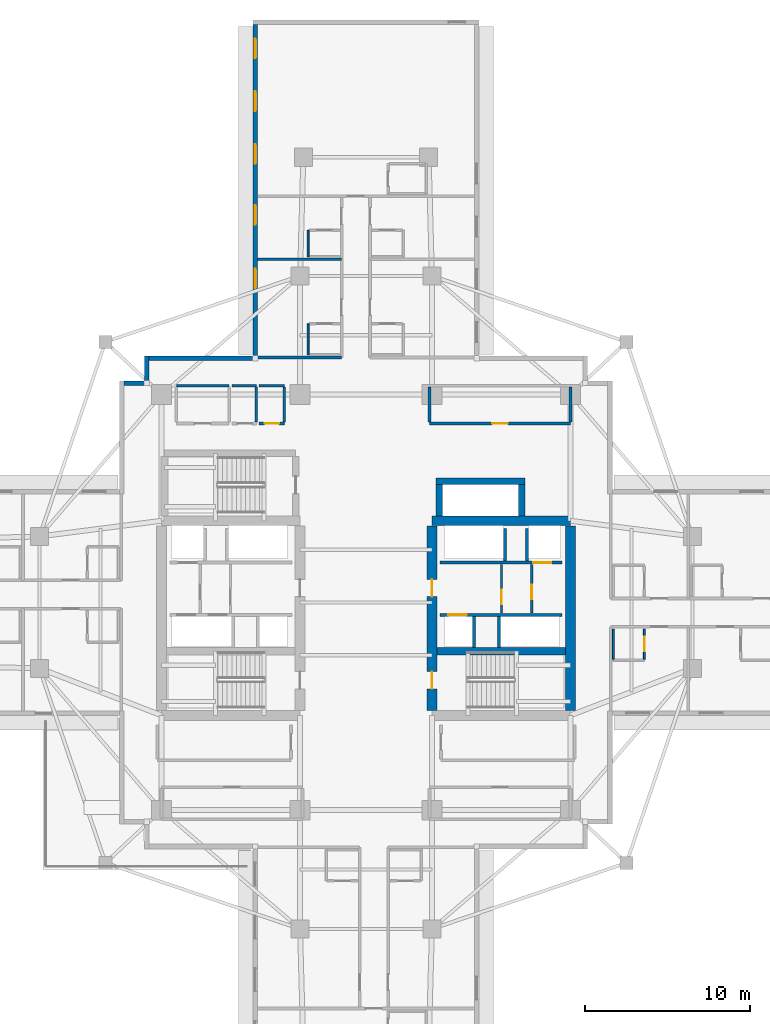
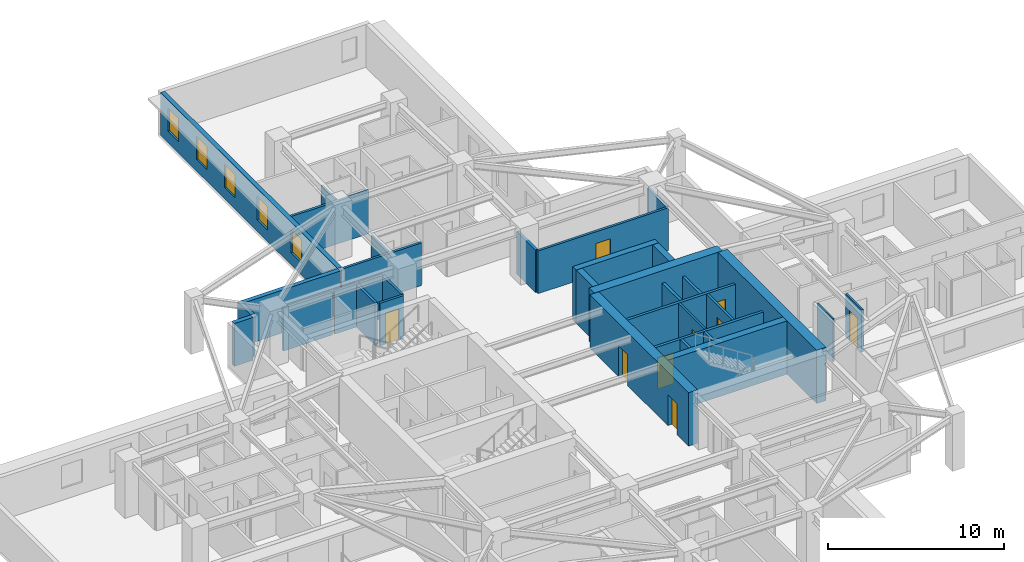
# One storey, part 6 of 13: 34 walls, 9 doors, 5 windows, 14 openings.
"""IFC4 building model written with IfcOpenShell, lengths in metres."""

import ifcopenshell
import ifcopenshell.guid

model = None  # the IFC model being written
_history = None  # IfcOwnerHistory: only IFC2X3 demands one
_inside = {}  # id of a spatial element -> (the spatial element, [elements in it])
_under = {}  # id of a project, library or spatial element -> (it, [spatial elements below it])
_declared = {}  # id of a project -> (the project, [libraries it declares])
_typed = {}  # id of a type object -> (the type object, [elements of that type])
_made_of = {}  # id of a material, layer set ... -> (it, [elements and type objects made of it])


def new_model(schema):
    """Start an empty IFC model of exactly this schema.

    Asked for "IFC4X3", IfcOpenShell would pick the latest addendum, in which some entities
    have other attributes; the version numbers below select the first issue.
    IFC2X3 requires an IfcOwnerHistory on every rooted entity: one is made here for all.
    """
    global model, _history
    if schema == "IFC4X3":
        model = ifcopenshell.file(schema_version=(4, 3, 0, 0))
    else:
        model = ifcopenshell.file(schema=schema)
    _inside.clear()
    _under.clear()
    _declared.clear()
    _typed.clear()
    _made_of.clear()
    _history = None
    if model.schema == "IFC2X3":
        org = make("IfcOrganization", Name="unknown")
        user = make(
            "IfcPersonAndOrganization",
            ThePerson=make("IfcPerson", FamilyName="unknown"),
            TheOrganization=org,
        )
        app = make(
            "IfcApplication",
            ApplicationDeveloper=org,
            Version="unknown",
            ApplicationFullName="unknown",
            ApplicationIdentifier="unknown",
        )
        _history = make(
            "IfcOwnerHistory",
            OwningUser=user,
            OwningApplication=app,
            ChangeAction="ADDED",
            CreationDate=0,
        )
    return model


def make(cls, **values):
    """One entity of the class cls with the attributes given. An attribute that is None is left unset."""
    return model.create_entity(
        cls, **{name: value for name, value in values.items() if value is not None}
    )


def rooted(cls, **values):
    """An entity with a GlobalId (a new one), such as an element, a storey or a relation."""
    return make(cls, GlobalId=ifcopenshell.guid.new(), OwnerHistory=_history, **values)


def si_unit(unit_type, name, prefix=None):
    """IfcSIUnit, for example si_unit("LENGTHUNIT", "METRE", prefix="MILLI")."""
    return make("IfcSIUnit", UnitType=unit_type, Prefix=prefix, Name=name)


def assignment(units):
    """IfcUnitAssignment: the units of a project."""
    return None if units is None else make("IfcUnitAssignment", Units=units)


def point(xyz):
    """IfcCartesianPoint."""
    return None if xyz is None else make("IfcCartesianPoint", Coordinates=xyz)


def direction(xyz):
    """IfcDirection."""
    return None if xyz is None else make("IfcDirection", DirectionRatios=xyz)


def frame(location, z_axis=None, x_axis=None):
    """IfcAxis2Placement3D, a coordinate frame: its origin and axes. An axis left out is left unset."""
    return make(
        "IfcAxis2Placement3D",
        Location=point(location),
        Axis=direction(z_axis),
        RefDirection=direction(x_axis),
    )


def frame_2d(location, x_axis=None):
    """IfcAxis2Placement2D, a coordinate frame in the plane: its origin and x axis."""
    return make(
        "IfcAxis2Placement2D", Location=point(location), RefDirection=direction(x_axis)
    )


def origin():
    """The frame at (0, 0, 0) with its axes left unset."""
    return frame((0.0, 0.0, 0.0))


def place(relative_to, where):
    """IfcLocalPlacement: puts the frame where relative to a parent placement (None: the world)."""
    return make(
        "IfcLocalPlacement", PlacementRelTo=relative_to, RelativePlacement=where
    )


def context(
    kind, dimensions, precision=None, world=None, true_north=None, identifier=None
):
    """IfcGeometricRepresentationContext, for example the 3D "Model" context."""
    return make(
        "IfcGeometricRepresentationContext",
        ContextIdentifier=identifier,
        ContextType=kind,
        CoordinateSpaceDimension=dimensions,
        Precision=precision,
        WorldCoordinateSystem=world,
        TrueNorth=true_north,
    )


def subcontext(parent, identifier, kind, view, scale=None):
    """IfcGeometricRepresentationSubContext, for example "Body" below "Model"."""
    return make(
        "IfcGeometricRepresentationSubContext",
        ContextIdentifier=identifier,
        ContextType=kind,
        ParentContext=parent,
        TargetScale=scale,
        TargetView=view,
    )


def project(units=None, contexts=None):
    """IfcProject with its units and contexts."""
    return rooted(
        "IfcProject",
        Name="project",
        RepresentationContexts=contexts,
        UnitsInContext=assignment(units),
    )


def spatial(cls, under=None, at=None, **own):
    """A site, building, storey or space (cls), placed at a placement, below another one or the project."""
    s = rooted(cls, ObjectPlacement=at, **own)
    if under is not None:
        _under.setdefault(under.id(), (under, []))[1].append(s)
    return s


def profile(cls, at=None, kind="AREA", **sizes):
    """A parametric profile (cls). Its sizes go by their IFC names, for example OverallWidth=200.0."""
    return make(cls, ProfileType=kind, Position=at, **sizes)


def rectangle(**sizes):
    """IfcRectangleProfileDef."""
    return profile("IfcRectangleProfileDef", **sizes)


def extrude(swept, where, along, depth):
    """IfcExtrudedAreaSolid: the profile swept, set in the frame where, extruded along a direction by depth."""
    return make(
        "IfcExtrudedAreaSolid",
        SweptArea=swept,
        Position=where,
        ExtrudedDirection=direction(along),
        Depth=depth,
    )


def shape(context_of_items, identifier, shape_type, items):
    """IfcShapeRepresentation: the items that make up one representation, for example the "Body"."""
    return make(
        "IfcShapeRepresentation",
        ContextOfItems=context_of_items,
        RepresentationIdentifier=identifier,
        RepresentationType=shape_type,
        Items=items,
    )


def material(Name=None, Category=None):
    """IfcMaterial."""
    return make("IfcMaterial", Name=Name, Category=Category)


def layer(
    of_material, thickness, ventilated=None, Name=None, Category=None, Priority=None
):
    """IfcMaterialLayer: one layer of a wall or slab, of a material (None: an air gap)."""
    return make(
        "IfcMaterialLayer",
        Material=of_material,
        LayerThickness=thickness,
        IsVentilated=ventilated,
        Name=Name,
        Category=Category,
        Priority=Priority,
    )


def layer_set(layers, Name=None):
    """IfcMaterialLayerSet."""
    return make("IfcMaterialLayerSet", MaterialLayers=layers, LayerSetName=Name)


def made_of(thing, what):
    """Note that an element or type object is made of a material, layer set ...; save() writes the relation."""
    if what is not None:
        _made_of.setdefault(what.id(), (what, []))[1].append(thing)
    return thing


def type_object(cls, material=None, **own):
    """A type object (cls), such as IfcWallType, which elements share."""
    return made_of(rooted(cls, **own), material)


def element(
    cls,
    number,
    at=None,
    inside=None,
    cuts=None,
    type_object=None,
    material=None,
    context=None,
    identifier="Body",
    shape_type=None,
    held_by="IfcProductDefinitionShape",
    body=None,
    shapes=None,
    **own,
):
    """One element of the class cls, such as IfcWall. Its Tag is "e" and its number.

    at: its placement. inside: the storey or other place that contains it. cuts: it is an
    opening in that element (IfcRelVoidsElement). A single representation is given by context,
    identifier, shape_type and body (its items); several are given by shapes. held_by: the class
    of the entity that holds the representations. save() writes the other relations.
    """
    e = rooted(cls, Tag="e%d" % number, ObjectPlacement=at, **own)
    if body is not None:
        shapes = [shape(context, identifier, shape_type, body)]
    if shapes is not None:
        e.Representation = make(held_by, Representations=shapes)
    if inside is not None:
        _inside.setdefault(inside.id(), (inside, []))[1].append(e)
    if cuts is not None:
        rooted(
            "IfcRelVoidsElement", RelatingBuildingElement=cuts, RelatedOpeningElement=e
        )
    if type_object is not None:
        _typed.setdefault(type_object.id(), (type_object, []))[1].append(e)
    return made_of(e, material)


def fill(opening, filler):
    """IfcRelFillsElement: the door or window that sits in an opening."""
    return rooted(
        "IfcRelFillsElement",
        RelatingOpeningElement=opening,
        RelatedBuildingElement=filler,
    )


def aggregate(whole, parts):
    """IfcRelAggregates: a whole, such as a stair, and the parts it consists of."""
    return rooted("IfcRelAggregates", RelatingObject=whole, RelatedObjects=parts)


def save(model, path):
    """Write the relations noted so far, then the file.

    IfcRelAggregates (storeys below a building ...), IfcRelContainedInSpatialStructure (elements
    in a storey), IfcRelDefinesByType, IfcRelAssociatesMaterial and IfcRelDeclares: one each for
    every whole, place, type object, material and project.
    """
    for whole, parts in _under.values():
        aggregate(whole, parts)
    for where, things in _inside.values():
        rooted(
            "IfcRelContainedInSpatialStructure",
            RelatedElements=things,
            RelatingStructure=where,
        )
    for kind, things in _typed.values():
        rooted("IfcRelDefinesByType", RelatedObjects=things, RelatingType=kind)
    for what, things in _made_of.values():
        rooted("IfcRelAssociatesMaterial", RelatedObjects=things, RelatingMaterial=what)
    for by, libraries in _declared.values():
        rooted("IfcRelDeclares", RelatingContext=by, RelatedDefinitions=libraries)
    model.write(path)


model = new_model("IFC4")

# Units and contexts
model_context = context("Model", 3, precision=1e-05, world=origin(), true_north=direction((0.0, 1.0)))
body_context = subcontext(model_context, "Body", "Model", "MODEL_VIEW")
ifc_project = project(units=[si_unit("LENGTHUNIT", "METRE"), si_unit("AREAUNIT", "SQUARE_METRE"), si_unit("VOLUMEUNIT", "CUBIC_METRE"), si_unit("PLANEANGLEUNIT", "RADIAN"), si_unit("MASSUNIT", "GRAM", prefix="KILO")], contexts=[model_context])

# Site, building, storey
site_placement = place(None, origin())
site = spatial("IfcSite", under=ifc_project, at=site_placement, CompositionType="ELEMENT")
building_placement = place(site_placement, origin())
building = spatial("IfcBuilding", under=site, at=building_placement, Name="Qingluan Cross Belvedere", CompositionType="ELEMENT")
storey_placement = place(building_placement, frame((0.0, 0.0, 104.699951171875)))
storey = spatial("IfcBuildingStorey", under=building, at=storey_placement, Name="L26", CompositionType="ELEMENT", Elevation=104.699951171875)

# Walls
ifc_material_1 = material(Name="Concrete C50", Category="concrete")
ifc_layer_1 = layer(ifc_material_1, 0.449951171875, Name="CoreShearWall_450")
ifc_layer_set_1 = layer_set([ifc_layer_1], Name="Concrete C50")
wall_type_1 = type_object("IfcWallType", Name="CoreShearWall_450", PredefinedType="SHEAR", material=ifc_layer_set_1)
wall_1_placement = place(storey_placement, frame((4.304931640625, -2.9599609375, 0.0), z_axis=(0.0, 0.0, 1.0), x_axis=(1.0, 0.0, 0.0)))
element("IfcWall", 1, at=wall_1_placement, inside=storey, type_object=wall_type_1, Name="Split core E shear wall L26-M", PredefinedType="SHEAR", context=body_context, shape_type="SweptSolid", body=[
    extrude(rectangle(XDim=7.7900390625, YDim=0.449951171875, at=frame_2d((3.89501953125, 0.0))), origin(), (0.0, 0.0, 1.0), 3.699951171875),
])
wall_2_placement = place(storey_placement, frame((4.449951171875, 5.2548828125, 0.0), z_axis=(0.0, 0.0, 1.0), x_axis=(0.0, 1.0, 0.0)))
element("IfcWall", 2, at=wall_2_placement, inside=storey, type_object=wall_type_1, Name="Express shuttle core wall L26-W", PredefinedType="SHEAR", context=body_context, shape_type="SweptSolid", body=[
    extrude(rectangle(XDim=1.885009765625, YDim=0.39990234375, at=frame_2d((0.9423828125, 0.0))), origin(), (0.0, 0.0, 1.0), 3.699951171875),
])
wall_3_placement = place(storey_placement, frame((4.25, 7.35009765625, 0.0), z_axis=(0.0, 0.0, 1.0), x_axis=(1.0, 0.0, 0.0)))
element("IfcWall", 3, at=wall_3_placement, inside=storey, type_object=wall_type_1, Name="Express shuttle core wall L26-N", PredefinedType="SHEAR", context=body_context, shape_type="SweptSolid", body=[
    extrude(rectangle(XDim=5.39990234375, YDim=0.39990234375, at=frame_2d((2.699951171875, 0.0))), origin(), (0.0, 0.0, 1.0), 3.699951171875),
])
wall_4_placement = place(storey_placement, frame((9.449951171875, 5.2548828125, 0.0), z_axis=(0.0, 0.0, 1.0), x_axis=(0.0, 1.0, 0.0)))
element("IfcWall", 4, at=wall_4_placement, inside=storey, type_object=wall_type_1, Name="Express shuttle core wall L26-E", PredefinedType="SHEAR", context=body_context, shape_type="SweptSolid", body=[
    extrude(rectangle(XDim=1.885009765625, YDim=0.39990234375, at=frame_2d((0.9423828125, 0.0))), origin(), (0.0, 0.0, 1.0), 3.699951171875),
])
ifc_material_2 = material(Name="Concrete C60", Category="concrete")
ifc_layer_2 = layer(ifc_material_2, 0.60009765625, Name="CoreShearWall_600")
ifc_layer_set_2 = layer_set([ifc_layer_2], Name="Concrete C60")
wall_type_2 = type_object("IfcWallType", Name="CoreShearWall_600", PredefinedType="SHEAR", material=ifc_layer_set_2)
wall_5_placement = place(storey_placement, frame((4.0, 4.949951171875, 0.0), z_axis=(0.0, 0.0, 1.0), x_axis=(1.0, 0.0, 0.0)))
element("IfcWall", 5, at=wall_5_placement, inside=storey, type_object=wall_type_2, Name="Split core E shear wall L26-N", PredefinedType="SHEAR", context=body_context, shape_type="SweptSolid", body=[
    extrude(rectangle(XDim=8.39990234375, YDim=0.60009765625, at=frame_2d((4.199951171875, 0.0))), origin(), (0.0, 0.0, 1.0), 3.699951171875),
])

# Wall, openings, doors
wall_6_placement = place(storey_placement, frame((4.0, -6.544921875, 0.0), z_axis=(0.0, 0.0, 1.0), x_axis=(0.0, 1.0, 0.0)))
wall_6 = element("IfcWall", 6, at=wall_6_placement, inside=storey, type_object=wall_type_2, Name="Split core E shear wall L26-W", PredefinedType="SHEAR", context=body_context, shape_type="SweptSolid", body=[
    extrude(rectangle(XDim=11.18994140625, YDim=0.60009765625, at=frame_2d((5.594970703125, 0.0))), origin(), (0.0, 0.0, 1.0), 3.699951171875),
])
opening_1_placement = place(wall_6_placement, frame((1.294921875, 0.0, 0.0)))
opening_1 = element("IfcOpeningElement", 7, at=opening_1_placement, cuts=wall_6, Name="Opening FD-B11", PredefinedType="OPENING", context=body_context, shape_type="SweptSolid", body=[
    extrude(rectangle(XDim=1.050048828125, YDim=2.14990234375, at=frame_2d((0.52490234375, 1.074951171875))), frame((0.0, 0.31005859375, 0.0), z_axis=(0.0, -1.0, 0.0), x_axis=(1.0, 0.0, 0.0)), (0.0, 0.0, 1.0), 0.6201171875),
])
opening_2_placement = place(wall_6_placement, frame((6.89501953125, 0.0, 0.0)))
opening_2 = element("IfcOpeningElement", 8, at=opening_2_placement, cuts=wall_6, Name="Opening FD-B11", PredefinedType="OPENING", context=body_context, shape_type="SweptSolid", body=[
    extrude(rectangle(XDim=1.050048828125, YDim=2.14990234375, at=frame_2d((0.52490234375, 1.074951171875))), frame((0.0, 0.31005859375, 0.0), z_axis=(0.0, -1.0, 0.0), x_axis=(1.0, 0.0, 0.0)), (0.0, 0.0, 1.0), 0.6201171875),
])
ifc_material_3 = material(Name="Steel Class B smoke-seal fire door", Category="steel")
door_type_1 = type_object("IfcDoorType", Name="StairLobbyFireDoor_FDB", OperationType="NOTDEFINED", PredefinedType="DOOR", material=ifc_material_3)
door_1_placement = place(opening_1_placement, origin())
door_1 = element("IfcDoor", 9, at=door_1_placement, inside=storey, type_object=door_type_1, Name="Smoke-proof stair ST2 fire door L26", OperationType="SINGLE_SWING_LEFT", OverallHeight=2.14990234375, OverallWidth=1.050048828125, PredefinedType="DOOR", context=body_context, shape_type="SweptSolid", body=[
    extrude(rectangle(XDim=1.050048828125, YDim=2.14990234375, at=frame_2d((0.52490234375, 1.074951171875))), frame((0.0, 0.02490234375, 0.0), z_axis=(0.0, -1.0, 0.0), x_axis=(1.0, 0.0, 0.0)), (0.0, 0.0, 1.0), 0.050048828125),
])
fill(opening_1, door_1)
door_2_placement = place(opening_2_placement, origin())
door_2 = element("IfcDoor", 10, at=door_2_placement, inside=storey, type_object=door_type_1, Name="Firefighting lobby East fire door L26", OperationType="SINGLE_SWING_LEFT", OverallHeight=2.14990234375, OverallWidth=1.050048828125, PredefinedType="DOOR", context=body_context, shape_type="SweptSolid", body=[
    extrude(rectangle(XDim=1.050048828125, YDim=2.14990234375, at=frame_2d((0.52490234375, 1.074951171875))), frame((0.0, 0.02490234375, 0.0), z_axis=(0.0, -1.0, 0.0), x_axis=(1.0, 0.0, 0.0)), (0.0, 0.0, 1.0), 0.050048828125),
])
fill(opening_2, door_2)

# Wall
wall_7_placement = place(storey_placement, frame((12.39990234375, -6.544921875, 0.0), z_axis=(0.0, 0.0, 1.0), x_axis=(0.0, 1.0, 0.0)))
element("IfcWall", 11, at=wall_7_placement, inside=storey, type_object=wall_type_2, Name="Split core E shear wall L26-E", PredefinedType="SHEAR", context=body_context, shape_type="SweptSolid", body=[
    extrude(rectangle(XDim=11.18994140625, YDim=0.60009765625, at=frame_2d((5.594970703125, 0.0))), origin(), (0.0, 0.0, 1.0), 3.699951171875),
])

# Wall, opening, door
ifc_material_4 = material(Name="Gypsum plasterboard on steel stud acoustic partition", Category="steel")
ifc_layer_3 = layer(ifc_material_4, 0.159912109375, Name="CorridorPartition_160")
ifc_layer_set_3 = layer_set([ifc_layer_3], Name="Gypsum plasterboard on steel stud acoustic partition")
wall_type_3 = type_object("IfcWallType", Name="CorridorPartition_160", PredefinedType="PARTITIONING", material=ifc_layer_set_3)
wall_8_placement = place(storey_placement, frame((10.050048828125, -0.652099609375, 0.0), z_axis=(0.0, 0.0, 1.0), x_axis=(0.0, 1.0, 0.0)))
wall_8 = element("IfcWall", 12, at=wall_8_placement, inside=storey, type_object=wall_type_3, Name="Partition L26:ev", PredefinedType="PARTITIONING", context=body_context, shape_type="SweptSolid", body=[
    extrude(rectangle(XDim=2.962158203125, YDim=0.139892578125, at=frame_2d((1.48095703125, 0.0))), origin(), (0.0, 0.0, 1.0), 2.9599609375),
])
opening_3_placement = place(wall_8_placement, frame((0.85009765625, 0.0, 0.0)))
opening_3 = element("IfcOpeningElement", 13, at=opening_3_placement, cuts=wall_8, Name="Opening FD-B10", PredefinedType="OPENING", context=body_context, shape_type="SweptSolid", body=[
    extrude(rectangle(XDim=0.8798828125, YDim=2.10009765625, at=frame_2d((0.43994140625, 1.050048828125))), frame((0.0, 0.079833984375, 0.0), z_axis=(0.0, -1.0, 0.0), x_axis=(1.0, 0.0, 0.0)), (0.0, 0.0, 1.0), 0.159912109375),
])
ifc_material_5 = material(Name="Steel Class B service fire door", Category="steel")
door_type_2 = type_object("IfcDoorType", Name="RiserServiceFireDoor_FDB", OperationType="NOTDEFINED", PredefinedType="DOOR", material=ifc_material_5)
door_3_placement = place(opening_3_placement, origin())
door_3 = element("IfcDoor", 14, at=door_3_placement, inside=storey, type_object=door_type_2, Name="Service closet inner door L26", OperationType="SINGLE_SWING_RIGHT", OverallHeight=2.10009765625, OverallWidth=0.8798828125, PredefinedType="DOOR", context=body_context, shape_type="SweptSolid", body=[
    extrude(rectangle(XDim=0.8798828125, YDim=2.10009765625, at=frame_2d((0.43994140625, 1.050048828125))), frame((0.0, 0.02490234375, 0.0), z_axis=(0.0, -1.0, 0.0), x_axis=(1.0, 0.0, 0.0)), (0.0, 0.0, 1.0), 0.050048828125),
])
fill(opening_3, door_3)

# Walls
wall_9_placement = place(storey_placement, frame((-11.5, 13.14990234375, 0.0), z_axis=(0.0, 0.0, 1.0), x_axis=(1.0, 0.0, 0.0)))
element("IfcWall", 15, at=wall_9_placement, inside=storey, type_object=wall_type_3, Name="Partition L26:q_nw_occ:N", PredefinedType="PARTITIONING", context=body_context, shape_type="SweptSolid", body=[
    extrude(rectangle(XDim=3.199951171875, YDim=0.159912109375, at=frame_2d((1.60009765625, 0.0))), origin(), (0.0, 0.0, 1.0), 2.9599609375),
])
wall_10_placement = place(storey_placement, frame((-8.139892578125, 13.14990234375, 0.0), z_axis=(0.0, 0.0, 1.0), x_axis=(1.0, 0.0, 0.0)))
element("IfcWall", 16, at=wall_10_placement, inside=storey, type_object=wall_type_3, Name="Partition L26:hk_linen:N", PredefinedType="PARTITIONING", context=body_context, shape_type="SweptSolid", body=[
    extrude(rectangle(XDim=1.489990234375, YDim=0.159912109375, at=frame_2d((0.7451171875, 0.0))), origin(), (0.0, 0.0, 1.0), 2.9599609375),
])
wall_11_placement = place(storey_placement, frame((-6.64990234375, 10.93505859375, 0.0), z_axis=(0.0, 0.0, 1.0), x_axis=(0.0, 1.0, 0.0)))
element("IfcWall", 17, at=wall_11_placement, inside=storey, type_object=wall_type_3, Name="Partition L26:hk_linen:E", PredefinedType="PARTITIONING", context=body_context, shape_type="SweptSolid", body=[
    extrude(rectangle(XDim=2.1298828125, YDim=0.159912109375, at=frame_2d((1.06494140625, 0.0))), origin(), (0.0, 0.0, 1.0), 2.9599609375),
])

# Wall, opening, door
wall_12_placement = place(storey_placement, frame((-6.489990234375, 10.85009765625, 0.0), z_axis=(0.0, 0.0, 1.0), x_axis=(1.0, 0.0, 0.0)))
wall_12 = element("IfcWall", 18, at=wall_12_placement, inside=storey, type_object=wall_type_3, Name="Partition L26:floor_acc_wc:S", PredefinedType="PARTITIONING", context=body_context, shape_type="SweptSolid", body=[
    extrude(rectangle(XDim=1.5400390625, YDim=0.159912109375, at=frame_2d((0.77001953125, 0.0))), origin(), (0.0, 0.0, 1.0), 2.9599609375),
])
opening_4_placement = place(wall_12_placement, frame((0.35009765625, 0.0, 0.0)))
opening_4 = element("IfcOpeningElement", 19, at=opening_4_placement, cuts=wall_12, Name="Opening BD-08", PredefinedType="OPENING", context=body_context, shape_type="SweptSolid", body=[
    extrude(rectangle(XDim=0.8798828125, YDim=2.14990234375, at=frame_2d((0.43994140625, 1.074951171875))), frame((0.0, 0.08984375, 0.0), z_axis=(0.0, -1.0, 0.0), x_axis=(1.0, 0.0, 0.0)), (0.0, 0.0, 1.0), 0.179931640625),
])
ifc_material_6 = material(Name="Moisture-sealed timber accessible WC door", Category="wood")
door_type_3 = type_object("IfcDoorType", Name="AccessibleWCDoor_880", OperationType="NOTDEFINED", PredefinedType="DOOR", material=ifc_material_6)
door_4_placement = place(opening_4_placement, origin())
door_4 = element("IfcDoor", 20, at=door_4_placement, inside=storey, type_object=door_type_3, Name="Accessible guest washroom L26 door", OperationType="SINGLE_SWING_RIGHT", OverallHeight=2.14990234375, OverallWidth=0.8798828125, PredefinedType="DOOR", context=body_context, shape_type="SweptSolid", body=[
    extrude(rectangle(XDim=0.8798828125, YDim=2.14990234375, at=frame_2d((0.43994140625, 1.074951171875))), frame((0.0, 0.02490234375, 0.0), z_axis=(0.0, -1.0, 0.0), x_axis=(1.0, 0.0, 0.0)), (0.0, 0.0, 1.0), 0.050048828125),
])
fill(opening_4, door_4)

# Walls
wall_13_placement = place(storey_placement, frame((-6.489990234375, 13.14990234375, 0.0), z_axis=(0.0, 0.0, 1.0), x_axis=(1.0, 0.0, 0.0)))
element("IfcWall", 21, at=wall_13_placement, inside=storey, type_object=wall_type_3, Name="Partition L26:floor_acc_wc:N", PredefinedType="PARTITIONING", context=body_context, shape_type="SweptSolid", body=[
    extrude(rectangle(XDim=1.5400390625, YDim=0.159912109375, at=frame_2d((0.77001953125, 0.0))), origin(), (0.0, 0.0, 1.0), 2.9599609375),
])
wall_14_placement = place(storey_placement, frame((-4.949951171875, 10.93505859375, 0.0), z_axis=(0.0, 0.0, 1.0), x_axis=(0.0, 1.0, 0.0)))
element("IfcWall", 22, at=wall_14_placement, inside=storey, type_object=wall_type_3, Name="Partition L26:floor_acc_wc:E", PredefinedType="PARTITIONING", context=body_context, shape_type="SweptSolid", body=[
    extrude(rectangle(XDim=2.1298828125, YDim=0.159912109375, at=frame_2d((1.06494140625, 0.0))), origin(), (0.0, 0.0, 1.0), 2.9599609375),
])

# Wall, opening, door
wall_15_placement = place(storey_placement, frame((3.85009765625, 10.85009765625, 0.0), z_axis=(0.0, 0.0, 1.0), x_axis=(1.0, 0.0, 0.0)))
wall_15 = element("IfcWall", 23, at=wall_15_placement, inside=storey, type_object=wall_type_3, Name="Partition L26:q_ne:S", PredefinedType="PARTITIONING", context=body_context, shape_type="SweptSolid", body=[
    extrude(rectangle(XDim=8.5498046875, YDim=0.159912109375, at=frame_2d((4.27490234375, 0.0))), origin(), (0.0, 0.0, 1.0), 2.9599609375),
])
opening_5_placement = place(wall_15_placement, frame((3.794921875, 0.0, 0.0)))
opening_5 = element("IfcOpeningElement", 24, at=opening_5_placement, cuts=wall_15, Name="Opening GD-10", PredefinedType="OPENING", context=body_context, shape_type="SweptSolid", body=[
    extrude(rectangle(XDim=0.9599609375, YDim=2.14990234375, at=frame_2d((0.47998046875, 1.074951171875))), frame((0.0, 0.08984375, 0.0), z_axis=(0.0, -1.0, 0.0), x_axis=(1.0, 0.0, 0.0)), (0.0, 0.0, 1.0), 0.179931640625),
])
ifc_material_7 = material(Name="Timber oak fire-rated acoustic guestroom door", Category="wood")
door_type_4 = type_object("IfcDoorType", Name="GuestEntryDoor_FD60", OperationType="NOTDEFINED", PredefinedType="DOOR", material=ifc_material_7)
door_5_placement = place(opening_5_placement, origin())
door_5 = element("IfcDoor", 25, at=door_5_placement, inside=storey, type_object=door_type_4, Name="Executive club lounge L26 door", OperationType="SINGLE_SWING_LEFT", OverallHeight=2.14990234375, OverallWidth=0.9599609375, PredefinedType="DOOR", context=body_context, shape_type="SweptSolid", body=[
    extrude(rectangle(XDim=0.9599609375, YDim=2.14990234375, at=frame_2d((0.47998046875, 1.074951171875))), frame((0.0, 0.02490234375, 0.0), z_axis=(0.0, -1.0, 0.0), x_axis=(1.0, 0.0, 0.0)), (0.0, 0.0, 1.0), 0.050048828125),
])
fill(opening_5, door_5)

# Walls
for number, where, z_axis, x_axis, name in (
    (26, (3.85009765625, 10.93505859375, 0.0), (0.0, 0.0, 1.0), (0.0, 1.0, 0.0), "Partition L26:q_ne:W"),
    (27, (12.39990234375, 10.93505859375, 0.0), (0.0, 0.0, 1.0), (0.0, 1.0, 0.0), "Partition L26:q_ne:E"),
):
    element("IfcWall", number, at=place(storey_placement, frame(where, z_axis=z_axis, x_axis=x_axis)), inside=storey, type_object=wall_type_3, Name=name, PredefinedType="PARTITIONING", context=body_context, shape_type="SweptSolid", body=[
        extrude(rectangle(XDim=2.1298828125, YDim=0.159912109375, at=frame_2d((1.06494140625, 0.0))), origin(), (0.0, 0.0, 1.0), 2.9599609375),
    ])
wall_16_placement = place(storey_placement, frame((-1.47998046875, 14.85009765625, 0.0), z_axis=(0.0, 0.0, 1.0), x_axis=(-1.0, 0.0, 0.0)))
element("IfcWall", 28, at=wall_16_placement, inside=storey, type_object=wall_type_3, Name="Partition L26:N:s1", PredefinedType="PARTITIONING", context=body_context, shape_type="SweptSolid", body=[
    extrude(rectangle(XDim=5.239990234375, YDim=0.159912109375, at=frame_2d((2.6201171875, 0.0))), origin(), (0.0, 0.0, 1.0), 2.9599609375),
])
wall_17_placement = place(storey_placement, frame((-1.47998046875, 20.800048828125, 0.0), z_axis=(0.0, 0.0, 1.0), x_axis=(-1.0, 0.0, 0.0)))
element("IfcWall", 29, at=wall_17_placement, inside=storey, type_object=wall_type_3, Name="Partition L26:N:d1_0", PredefinedType="PARTITIONING", context=body_context, shape_type="SweptSolid", body=[
    extrude(rectangle(XDim=5.092041015625, YDim=0.159912109375, at=frame_2d((2.5458984375, 0.0))), origin(), (0.0, 0.0, 1.0), 2.9599609375),
])

# Wall, opening, door
ifc_material_8 = material(Name="Moisture-resistant gypsum board lining")
ifc_layer_4 = layer(ifc_material_8, 0.1201171875, Name="EnsuiteWetPartition_120")
ifc_layer_set_4 = layer_set([ifc_layer_4], Name="Moisture-resistant gypsum board lining")
wall_type_4 = type_object("IfcWallType", Name="EnsuiteWetPartition_120", PredefinedType="PARTITIONING", material=ifc_layer_set_4)
wall_18_placement = place(storey_placement, frame((16.889892578125, -3.43994140625, 0.0), z_axis=(0.0, 0.0, 1.0), x_axis=(0.0, 1.0, 0.0)))
wall_18 = element("IfcWall", 30, at=wall_18_placement, inside=storey, type_object=wall_type_4, Name="Partition L26:E:bs1_0", PredefinedType="PARTITIONING", context=body_context, shape_type="SweptSolid", body=[
    extrude(rectangle(XDim=1.81982421875, YDim=0.1201171875, at=frame_2d((0.909912109375, 0.0))), origin(), (0.0, 0.0, 1.0), 2.9599609375),
])
opening_6_placement = place(wall_18_placement, frame((0.469970703125, 0.0, 0.0)))
opening_6 = element("IfcOpeningElement", 31, at=opening_6_placement, cuts=wall_18, Name="Opening BD-09", PredefinedType="OPENING", context=body_context, shape_type="SweptSolid", body=[
    extrude(rectangle(XDim=0.8798828125, YDim=2.10009765625, at=frame_2d((0.43994140625, 1.050048828125))), frame((0.0, 0.070068359375, 0.0), z_axis=(0.0, -1.0, 0.0), x_axis=(1.0, 0.0, 0.0)), (0.0, 0.0, 1.0), 0.14013671875),
])
ifc_material_9 = material(Name="Moisture-sealed timber en-suite door", Category="wood")
door_type_5 = type_object("IfcDoorType", Name="BathroomDoor_880", OperationType="NOTDEFINED", PredefinedType="DOOR", material=ifc_material_9)
door_6_placement = place(opening_6_placement, origin())
door_6 = element("IfcDoor", 32, at=door_6_placement, inside=storey, type_object=door_type_5, Name="Bathroom door 2604", OperationType="SINGLE_SWING_LEFT", OverallHeight=2.10009765625, OverallWidth=0.8798828125, PredefinedType="DOOR", context=body_context, shape_type="SweptSolid", body=[
    extrude(rectangle(XDim=0.8798828125, YDim=2.10009765625, at=frame_2d((0.43994140625, 1.050048828125))), frame((0.0, 0.02490234375, 0.0), z_axis=(0.0, -1.0, 0.0), x_axis=(1.0, 0.0, 0.0)), (0.0, 0.0, 1.0), 0.050048828125),
])
fill(opening_6, door_6)

# Walls
wall_19_placement = place(storey_placement, frame((15.010009765625, -3.43994140625, 0.0), z_axis=(0.0, 0.0, 1.0), x_axis=(0.0, 1.0, 0.0)))
element("IfcWall", 33, at=wall_19_placement, inside=storey, type_object=wall_type_4, Name="Partition L26:E:bw1_0", PredefinedType="PARTITIONING", context=body_context, shape_type="SweptSolid", body=[
    extrude(rectangle(XDim=1.81982421875, YDim=0.1201171875, at=frame_2d((0.909912109375, 0.0))), origin(), (0.0, 0.0, 1.0), 2.9599609375),
])
wall_20_placement = place(storey_placement, frame((-3.5048828125, 15.010009765625, 0.0), z_axis=(0.0, 0.0, 1.0), x_axis=(0.0, 1.0, 0.0)))
element("IfcWall", 34, at=wall_20_placement, inside=storey, type_object=wall_type_4, Name="Partition L26:N:bc1_0", PredefinedType="PARTITIONING", context=body_context, shape_type="SweptSolid", body=[
    extrude(rectangle(XDim=1.8798828125, YDim=0.1201171875, at=frame_2d((0.93994140625, 0.0))), origin(), (0.0, 0.0, 1.0), 2.9599609375),
])
wall_21_placement = place(storey_placement, frame((-3.5048828125, 20.9599609375, 0.0), z_axis=(0.0, 0.0, 1.0), x_axis=(0.0, 1.0, 0.0)))
element("IfcWall", 35, at=wall_21_placement, inside=storey, type_object=wall_type_4, Name="Partition L26:N:bc1_1", PredefinedType="PARTITIONING", context=body_context, shape_type="SweptSolid", body=[
    extrude(rectangle(XDim=1.60009765625, YDim=0.1201171875, at=frame_2d((0.800048828125, 0.0))), origin(), (0.0, 0.0, 1.0), 2.9599609375),
])

# Wall, openings, windows
ifc_material_10 = material(Name="Precast concrete C45", Category="concrete")
ifc_layer_5 = layer(ifc_material_10, 0.280029296875, Name="PrecastFacadeWall_280")
ifc_layer_set_5 = layer_set([ifc_layer_5], Name="Precast concrete C45")
wall_type_5 = type_object("IfcWallType", Name="PrecastFacadeWall_280", PredefinedType="STANDARD", material=ifc_layer_set_5)
wall_22_placement = place(storey_placement, frame((-6.719970703125, 35.0400390625, 0.0), z_axis=(0.0, 0.0, 1.0), x_axis=(0.0, -1.0, 0.0)))
wall_22 = element("IfcWall", 36, at=wall_22_placement, inside=storey, type_object=wall_type_5, Name="Facade wall L26-NB", PredefinedType="STANDARD", context=body_context, shape_type="SweptSolid", body=[
    extrude(rectangle(XDim=20.10009765625, YDim=0.280029296875, at=frame_2d((10.050048828125, 0.0))), origin(), (0.0, 0.0, 1.0), 2.969970703125),
])
opening_7_placement = place(wall_22_placement, frame((0.85009765625, 0.0, 0.800048828125)))
opening_7 = element("IfcOpeningElement", 37, at=opening_7_placement, cuts=wall_22, Name="Opening W-02", PredefinedType="OPENING", context=body_context, shape_type="SweptSolid", body=[
    extrude(rectangle(XDim=1.199951171875, YDim=1.60009765625, at=frame_2d((0.60009765625, 0.800048828125))), frame((0.0, 0.14990234375, 0.0), z_axis=(0.0, -1.0, 0.0), x_axis=(1.0, 0.0, 0.0)), (0.0, 0.0, 1.0), 0.300048828125),
])
opening_8_placement = place(wall_22_placement, frame((4.050048828125, 0.0, 0.800048828125)))
opening_8 = element("IfcOpeningElement", 38, at=opening_8_placement, cuts=wall_22, Name="Opening W-02", PredefinedType="OPENING", context=body_context, shape_type="SweptSolid", body=[
    extrude(rectangle(XDim=1.199951171875, YDim=1.60009765625, at=frame_2d((0.60009765625, 0.800048828125))), frame((0.0, 0.14990234375, 0.0), z_axis=(0.0, -1.0, 0.0), x_axis=(1.0, 0.0, 0.0)), (0.0, 0.0, 1.0), 0.300048828125),
])
opening_9_placement = place(wall_22_placement, frame((7.25, 0.0, 0.800048828125)))
opening_9 = element("IfcOpeningElement", 39, at=opening_9_placement, cuts=wall_22, Name="Opening W-02", PredefinedType="OPENING", context=body_context, shape_type="SweptSolid", body=[
    extrude(rectangle(XDim=1.199951171875, YDim=1.60009765625, at=frame_2d((0.60009765625, 0.800048828125))), frame((0.0, 0.14990234375, 0.0), z_axis=(0.0, -1.0, 0.0), x_axis=(1.0, 0.0, 0.0)), (0.0, 0.0, 1.0), 0.300048828125),
])
opening_10_placement = place(wall_22_placement, frame((10.949951171875, 0.0, 0.800048828125)))
opening_10 = element("IfcOpeningElement", 40, at=opening_10_placement, cuts=wall_22, Name="Opening W-02", PredefinedType="OPENING", context=body_context, shape_type="SweptSolid", body=[
    extrude(rectangle(XDim=1.199951171875, YDim=1.60009765625, at=frame_2d((0.60009765625, 0.800048828125))), frame((0.0, 0.14990234375, 0.0), z_axis=(0.0, -1.0, 0.0), x_axis=(1.0, 0.0, 0.0)), (0.0, 0.0, 1.0), 0.300048828125),
])
opening_11_placement = place(wall_22_placement, frame((14.799072265625, 0.0, 0.85009765625)))
opening_11 = element("IfcOpeningElement", 41, at=opening_11_placement, cuts=wall_22, Name="Opening W-02", PredefinedType="OPENING", context=body_context, shape_type="SweptSolid", body=[
    extrude(rectangle(XDim=1.199951171875, YDim=1.60009765625, at=frame_2d((0.60009765625, 0.800048828125))), frame((0.0, 0.14990234375, 0.0), z_axis=(0.0, -1.0, 0.0), x_axis=(1.0, 0.0, 0.0)), (0.0, 0.0, 1.0), 0.300048828125),
])
ifc_material_11 = material(Name="Thermally broken triple Low-E glass in aluminium frame", Category="aluminium")
window_type = type_object("IfcWindowType", Name="TriRibbonWin_1200x1600", PartitioningType="SINGLE_PANEL", PredefinedType="WINDOW", material=ifc_material_11)
window_1_placement = place(opening_7_placement, origin())
window_1 = element("IfcWindow", 42, at=window_1_placement, inside=storey, type_object=window_type, Name="Ribbon window L26-NB-1", OverallHeight=1.60009765625, OverallWidth=1.199951171875, PartitioningType="SINGLE_PANEL", PredefinedType="WINDOW", context=body_context, shape_type="SweptSolid", body=[
    extrude(rectangle(XDim=1.199951171875, YDim=1.60009765625, at=frame_2d((0.60009765625, 0.800048828125))), frame((0.0, 0.030029296875, 0.0), z_axis=(0.0, -1.0, 0.0), x_axis=(1.0, 0.0, 0.0)), (0.0, 0.0, 1.0), 0.06005859375),
])
fill(opening_7, window_1)
window_2_placement = place(opening_8_placement, origin())
window_2 = element("IfcWindow", 43, at=window_2_placement, inside=storey, type_object=window_type, Name="Ribbon window L26-NB-2", OverallHeight=1.60009765625, OverallWidth=1.199951171875, PartitioningType="SINGLE_PANEL", PredefinedType="WINDOW", context=body_context, shape_type="SweptSolid", body=[
    extrude(rectangle(XDim=1.199951171875, YDim=1.60009765625, at=frame_2d((0.60009765625, 0.800048828125))), frame((0.0, 0.030029296875, 0.0), z_axis=(0.0, -1.0, 0.0), x_axis=(1.0, 0.0, 0.0)), (0.0, 0.0, 1.0), 0.06005859375),
])
fill(opening_8, window_2)
window_3_placement = place(opening_9_placement, origin())
window_3 = element("IfcWindow", 44, at=window_3_placement, inside=storey, type_object=window_type, Name="Ribbon window L26-NB-3", OverallHeight=1.60009765625, OverallWidth=1.199951171875, PartitioningType="SINGLE_PANEL", PredefinedType="WINDOW", context=body_context, shape_type="SweptSolid", body=[
    extrude(rectangle(XDim=1.199951171875, YDim=1.60009765625, at=frame_2d((0.60009765625, 0.800048828125))), frame((0.0, 0.030029296875, 0.0), z_axis=(0.0, -1.0, 0.0), x_axis=(1.0, 0.0, 0.0)), (0.0, 0.0, 1.0), 0.06005859375),
])
fill(opening_9, window_3)
window_4_placement = place(opening_10_placement, origin())
window_4 = element("IfcWindow", 45, at=window_4_placement, inside=storey, type_object=window_type, Name="Ribbon window L26-NB-4", OverallHeight=1.60009765625, OverallWidth=1.199951171875, PartitioningType="SINGLE_PANEL", PredefinedType="WINDOW", context=body_context, shape_type="SweptSolid", body=[
    extrude(rectangle(XDim=1.199951171875, YDim=1.60009765625, at=frame_2d((0.60009765625, 0.800048828125))), frame((0.0, 0.030029296875, 0.0), z_axis=(0.0, -1.0, 0.0), x_axis=(1.0, 0.0, 0.0)), (0.0, 0.0, 1.0), 0.06005859375),
])
fill(opening_10, window_4)
window_5_placement = place(opening_11_placement, origin())
window_5 = element("IfcWindow", 46, at=window_5_placement, inside=storey, type_object=window_type, Name="Deluxe guest room 2613 daylight window", OverallHeight=1.60009765625, OverallWidth=1.199951171875, PartitioningType="SINGLE_PANEL", PredefinedType="WINDOW", context=body_context, shape_type="SweptSolid", body=[
    extrude(rectangle(XDim=1.199951171875, YDim=1.60009765625, at=frame_2d((0.60009765625, 0.800048828125))), frame((0.0, 0.030029296875, 0.0), z_axis=(0.0, -1.0, 0.0), x_axis=(1.0, 0.0, 0.0)), (0.0, 0.0, 1.0), 0.06005859375),
])
fill(opening_11, window_5)

# Walls
wall_23_placement = place(storey_placement, frame((-14.659912109375, 13.300048828125, 0.0), z_axis=(0.0, 0.0, 1.0), x_axis=(1.0, 0.0, 0.0)))
element("IfcWall", 47, at=wall_23_placement, inside=storey, type_object=wall_type_5, Name="Corner wall L26-NW2", PredefinedType="STANDARD", context=body_context, shape_type="SweptSolid", body=[
    extrude(rectangle(XDim=1.219970703125, YDim=0.280029296875, at=frame_2d((0.60986328125, 0.0))), origin(), (0.0, 0.0, 1.0), 2.969970703125),
])
wall_24_placement = place(storey_placement, frame((-13.300048828125, 13.43994140625, 0.0), z_axis=(0.0, 0.0, 1.0), x_axis=(0.0, 1.0, 0.0)))
element("IfcWall", 48, at=wall_24_placement, inside=storey, type_object=wall_type_5, Name="Corner wall L26-NW3", PredefinedType="STANDARD", context=body_context, shape_type="SweptSolid", body=[
    extrude(rectangle(XDim=1.5, YDim=0.280029296875, at=frame_2d((0.75, 0.0))), origin(), (0.0, 0.0, 1.0), 2.969970703125),
])
wall_25_placement = place(storey_placement, frame((-13.159912109375, 14.800048828125, 0.0), z_axis=(0.0, 0.0, 1.0), x_axis=(1.0, 0.0, 0.0)))
element("IfcWall", 49, at=wall_25_placement, inside=storey, type_object=wall_type_5, Name="Corner wall L26-NW4", PredefinedType="STANDARD", context=body_context, shape_type="SweptSolid", body=[
    extrude(rectangle(XDim=6.2998046875, YDim=0.280029296875, at=frame_2d((3.14990234375, 0.0))), origin(), (0.0, 0.0, 1.0), 2.969970703125),
])

# Wall, opening, door
ifc_material_12 = material(Name="Concrete C40", Category="concrete")
ifc_layer_6 = layer(ifc_material_12, 0.219970703125, Name="ShaftEnclosureWall_250")
ifc_layer_set_6 = layer_set([ifc_layer_6], Name="Concrete C40")
wall_type_6 = type_object("IfcWallType", Name="ShaftEnclosureWall_250", PredefinedType="SOLIDWALL", material=ifc_layer_set_6)
wall_26_placement = place(storey_placement, frame((4.47998046875, 2.409912109375, 0.0), z_axis=(0.0, 0.0, 1.0), x_axis=(1.0, 0.0, 0.0)))
wall_26 = element("IfcWall", 50, at=wall_26_placement, inside=storey, type_object=wall_type_6, Name="Core-E north hoistway wall L26", PredefinedType="SOLIDWALL", context=body_context, shape_type="SweptSolid", body=[
    extrude(rectangle(XDim=7.419921875, YDim=0.179931640625, at=frame_2d((3.7099609375, 0.0))), origin(), (0.0, 0.0, 1.0), 2.9599609375),
])
opening_12_placement = place(wall_26_placement, frame((5.669921875, 0.0, 0.0)))
opening_12 = element("IfcOpeningElement", 51, at=opening_12_placement, cuts=wall_26, Name="Opening LD-11", PredefinedType="OPENING", context=body_context, shape_type="SweptSolid", body=[
    extrude(rectangle(XDim=1.10009765625, YDim=2.14990234375, at=frame_2d((0.550048828125, 1.074951171875))), frame((0.0, 0.099853515625, 0.0), z_axis=(0.0, -1.0, 0.0), x_axis=(1.0, 0.0, 0.0)), (0.0, 0.0, 1.0), 0.199951171875),
])
ifc_material_13 = material(Name="Brushed stainless steel centre-opening lift landing door", Category="steel")
door_type_6 = type_object("IfcDoorType", Name="LiftLandingSlidingDoor_1100", OperationType="DOUBLE_DOOR_SLIDING", PredefinedType="DOOR", material=ifc_material_13)
door_7_placement = place(opening_12_placement, origin())
door_7 = element("IfcDoor", 52, at=door_7_placement, inside=storey, type_object=door_type_6, Name="Lift landing sliding door FL2 L26", OperationType="DOUBLE_DOOR_SLIDING", OverallHeight=2.14990234375, OverallWidth=1.10009765625, PredefinedType="DOOR", context=body_context, shape_type="SweptSolid", body=[
    extrude(rectangle(XDim=1.10009765625, YDim=2.14990234375, at=frame_2d((0.550048828125, 1.074951171875))), frame((0.0, 0.02490234375, 0.0), z_axis=(0.0, -1.0, 0.0), x_axis=(1.0, 0.0, 0.0)), (0.0, 0.0, 1.0), 0.050048828125),
])
fill(opening_12, door_7)

wall_27_placement = place(storey_placement, frame((4.47998046875, -0.75, 0.0), z_axis=(0.0, 0.0, 1.0), x_axis=(1.0, 0.0, 0.0)))
wall_27 = element("IfcWall", 53, at=wall_27_placement, inside=storey, type_object=wall_type_6, Name="Core-E mid hoistway wall L26", PredefinedType="SOLIDWALL", context=body_context, shape_type="SweptSolid", body=[
    extrude(rectangle(XDim=7.419921875, YDim=0.179931640625, at=frame_2d((3.7099609375, 0.0))), origin(), (0.0, 0.0, 1.0), 2.9599609375),
])
opening_13_placement = place(wall_27_placement, frame((0.52001953125, 0.0, 0.0)))
opening_13 = element("IfcOpeningElement", 54, at=opening_13_placement, cuts=wall_27, Name="Opening LD-11", PredefinedType="OPENING", context=body_context, shape_type="SweptSolid", body=[
    extrude(rectangle(XDim=1.10009765625, YDim=2.14990234375, at=frame_2d((0.550048828125, 1.074951171875))), frame((0.0, 0.099853515625, 0.0), z_axis=(0.0, -1.0, 0.0), x_axis=(1.0, 0.0, 0.0)), (0.0, 0.0, 1.0), 0.199951171875),
])
door_8_placement = place(opening_13_placement, origin())
door_8 = element("IfcDoor", 55, at=door_8_placement, inside=storey, type_object=door_type_6, Name="Lift landing sliding door LP7 L26", OperationType="DOUBLE_DOOR_SLIDING", OverallHeight=2.14990234375, OverallWidth=1.10009765625, PredefinedType="DOOR", context=body_context, shape_type="SweptSolid", body=[
    extrude(rectangle(XDim=1.10009765625, YDim=2.14990234375, at=frame_2d((0.550048828125, 1.074951171875))), frame((0.0, 0.02490234375, 0.0), z_axis=(0.0, -1.0, 0.0), x_axis=(1.0, 0.0, 0.0)), (0.0, 0.0, 1.0), 0.050048828125),
])
fill(opening_13, door_8)

# Walls
for number, where, z_axis, x_axis, name in (
    (56, (8.43994140625, 2.5, 0.0), (0.0, 0.0, 1.0), (0.0, 1.0, 0.0), "Hoistway enclosure divider LP4E L26"),
    (57, (9.760009765625, 2.5, 0.0), (0.0, 0.0, 1.0), (0.0, 1.0, 0.0), "Hoistway enclosure divider FL2W L26"),
):
    element("IfcWall", number, at=place(storey_placement, frame(where, z_axis=z_axis, x_axis=x_axis)), inside=storey, type_object=wall_type_6, Name=name, PredefinedType="SOLIDWALL", context=body_context, shape_type="SweptSolid", body=[
        extrude(rectangle(XDim=1.989990234375, YDim=0.179931640625, at=frame_2d((0.9951171875, 0.0))), origin(), (0.0, 0.0, 1.0), 2.9599609375),
    ])
for number, where, z_axis, x_axis, name in (
    (58, (6.5400390625, -2.72998046875, 0.0), (0.0, 0.0, 1.0), (0.0, 1.0, 0.0), "Hoistway enclosure divider LP7E L26"),
    (59, (8.06005859375, -2.72998046875, 0.0), (0.0, 0.0, 1.0), (0.0, 1.0, 0.0), "Hoistway enclosure divider LP9W L26"),
):
    element("IfcWall", number, at=place(storey_placement, frame(where, z_axis=z_axis, x_axis=x_axis)), inside=storey, type_object=wall_type_6, Name=name, PredefinedType="SOLIDWALL", context=body_context, shape_type="SweptSolid", body=[
        extrude(rectangle(XDim=1.889892578125, YDim=0.179931640625, at=frame_2d((0.94482421875, 0.0))), origin(), (0.0, 0.0, 1.0), 2.9599609375),
    ])

# Wall, opening, door
wall_28_placement = place(storey_placement, frame((8.219970703125, -0.64990234375, 0.0), z_axis=(0.0, 0.0, 1.0), x_axis=(0.0, 1.0, 0.0)))
wall_28 = element("IfcWall", 60, at=wall_28_placement, inside=storey, type_object=wall_type_6, Name="Core-E service corridor wall L26", PredefinedType="SOLIDWALL", context=body_context, shape_type="SweptSolid", body=[
    extrude(rectangle(XDim=2.9599609375, YDim=0.139892578125, at=frame_2d((1.47998046875, 0.0))), origin(), (0.0, 0.0, 1.0), 2.9599609375),
])
opening_14_placement = place(wall_28_placement, frame((0.550048828125, 0.0, 0.0)))
opening_14 = element("IfcOpeningElement", 61, at=opening_14_placement, cuts=wall_28, Name="Opening FD-B10", PredefinedType="OPENING", context=body_context, shape_type="SweptSolid", body=[
    extrude(rectangle(XDim=0.8798828125, YDim=2.10009765625, at=frame_2d((0.43994140625, 1.050048828125))), frame((0.0, 0.079833984375, 0.0), z_axis=(0.0, -1.0, 0.0), x_axis=(1.0, 0.0, 0.0)), (0.0, 0.0, 1.0), 0.159912109375),
])
door_9_placement = place(opening_14_placement, origin())
door_9 = element("IfcDoor", 62, at=door_9_placement, inside=storey, type_object=door_type_2, Name="Core-E service room door L26", OperationType="SINGLE_SWING_RIGHT", OverallHeight=2.10009765625, OverallWidth=0.8798828125, PredefinedType="DOOR", context=body_context, shape_type="SweptSolid", body=[
    extrude(rectangle(XDim=0.8798828125, YDim=2.10009765625, at=frame_2d((0.43994140625, 1.050048828125))), frame((0.0, 0.02490234375, 0.0), z_axis=(0.0, -1.0, 0.0), x_axis=(1.0, 0.0, 0.0)), (0.0, 0.0, 1.0), 0.050048828125),
])
fill(opening_14, door_9)

save(model, "model.ifc")
